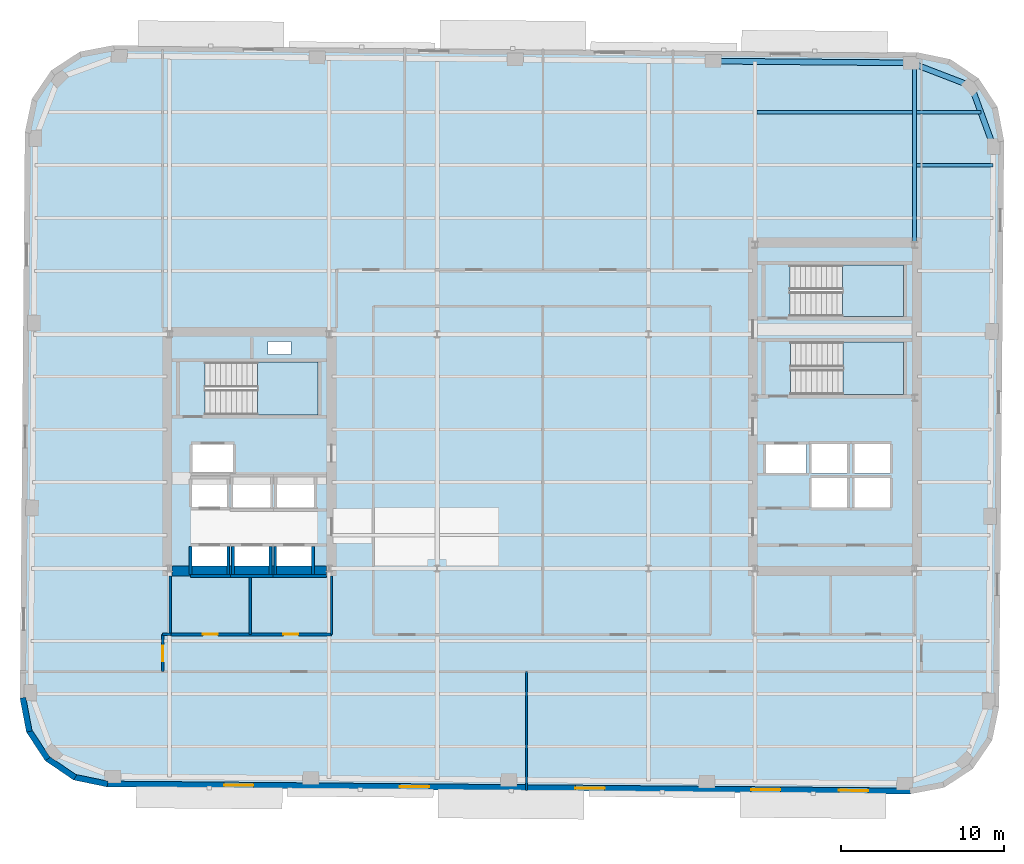
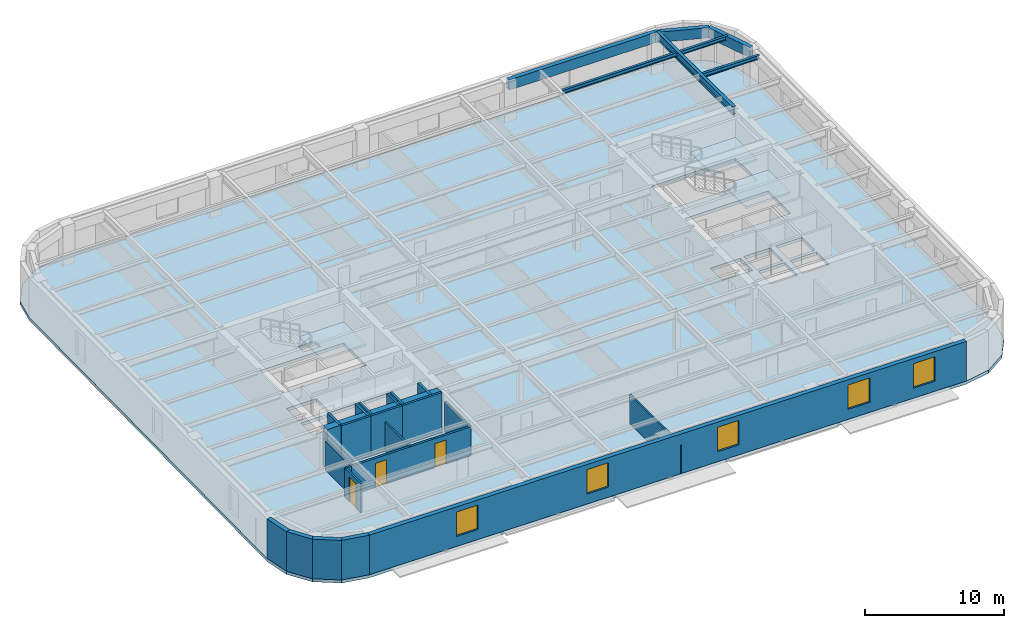
# One storey, part 3 of 10: 22 walls, 7 beams, 5 windows, 4 slabs, 3 doors, 8 openings, 3 elements without a shape of their own.
"""IFC4 building model written with IfcOpenShell, lengths in metres."""

from ifc_helpers import new_model, si_unit, direction, frame, frame_2d, origin, origin_2d, place, context, subcontext, project, spatial, polyline, rectangle, hollow_rectangle, i_section, outline, extrude, material, layer, layer_set, material_profile, profile_set, type_object, element, fill, aggregate, save


model = new_model("IFC4")

# Units and contexts
model_context = context("Model", 3, precision=1e-05, world=origin(), true_north=direction((0.0, 1.0)))
body_context = subcontext(model_context, "Body", "Model", "MODEL_VIEW")
ifc_project = project(units=[si_unit("LENGTHUNIT", "METRE"), si_unit("AREAUNIT", "SQUARE_METRE"), si_unit("VOLUMEUNIT", "CUBIC_METRE"), si_unit("PLANEANGLEUNIT", "RADIAN"), si_unit("MASSUNIT", "GRAM", prefix="KILO")], contexts=[model_context])

# Site, building, storey
site_placement = place(None, origin())
site = spatial("IfcSite", under=ifc_project, at=site_placement, CompositionType="ELEMENT")
building_placement = place(site_placement, origin())
building = spatial("IfcBuilding", under=site, at=building_placement, Name="Kolvaren Arena Tower", CompositionType="ELEMENT")
storey_placement = place(building_placement, frame((0.0, 0.0, 192.199951171875)))
storey = spatial("IfcBuildingStorey", under=building, at=storey_placement, Name="L46", CompositionType="ELEMENT", Elevation=192.199951171875)

# Beams
ifc_material_1 = material(Name="Steel CSA G40.21 350W", Category="steel")
ifc_material_profile_1 = material_profile(ifc_material_1, i_section(OverallWidth=0.2548828125, OverallDepth=0.695068359375, WebThickness=0.01708984375, FlangeThickness=0.02978515625, FilletRadius=0.01611328125, at=origin_2d()), Name="W690x217")
ifc_profile_set_1 = profile_set([ifc_material_profile_1], Name="Steel CSA G40.21 350W")
beam_type_1 = type_object("IfcBeamType", Name="GIRD-T2", PredefinedType="BEAM", material=ifc_profile_set_1)
beam_1_placement = place(storey_placement, frame((60.35009765625, 39.47998046875, 3.132568359375), z_axis=(0.0, 1.0, 0.0), x_axis=(-1.0, 0.0, 0.0)))
element("IfcBeam", 1, at=beam_1_placement, inside=storey, type_object=beam_type_1, Name="Primary Floor Girder (L46)", PredefinedType="BEAM", context=body_context, shape_type="SweptSolid", body=[
    extrude(i_section(OverallWidth=0.2548828125, OverallDepth=0.695068359375, WebThickness=0.01708984375, FlangeThickness=0.02978515625, FilletRadius=0.01611328125, at=origin_2d()), origin(), (0.0, 0.0, 1.0), 10.976806640625),
])
ifc_material_profile_2 = material_profile(ifc_material_1, i_section(OverallWidth=0.202880859375, OverallDepth=0.346923828125, WebThickness=0.0078125, FlangeThickness=0.013427734375, FilletRadius=0.010986328125, at=origin_2d()), Name="W360x64")
ifc_profile_set_2 = profile_set([ifc_material_profile_2], Name="Steel CSA G40.21 350W")
beam_type_2 = type_object("IfcBeamType", Name="JOIST-01", PredefinedType="JOIST", material=ifc_profile_set_2)
beam_2_placement = place(storey_placement, frame((60.4775390625, 44.25, 3.306640625), z_axis=(1.0, 0.0, 0.0), x_axis=(0.0, 1.0, 0.0)))
element("IfcBeam", 2, at=beam_2_placement, inside=storey, type_object=beam_type_2, Name="Composite Floor Joist (L46)", PredefinedType="JOIST", context=body_context, shape_type="SweptSolid", body=[
    extrude(i_section(OverallWidth=0.202880859375, OverallDepth=0.346923828125, WebThickness=0.0078125, FlangeThickness=0.013427734375, FilletRadius=0.010986328125, at=origin_2d()), origin(), (0.0, 0.0, 1.0), 4.710205078125),
])
beam_3_placement = place(storey_placement, frame((50.677490234375, 47.5, 3.306640625), z_axis=(1.0, 0.0, 0.0), x_axis=(0.0, 1.0, 0.0)))
element("IfcBeam", 3, at=beam_3_placement, inside=storey, type_object=beam_type_2, Name="Composite Floor Joist (L46)", PredefinedType="JOIST", context=body_context, shape_type="SweptSolid", body=[
    extrude(i_section(OverallWidth=0.202880859375, OverallDepth=0.346923828125, WebThickness=0.0078125, FlangeThickness=0.013427734375, FilletRadius=0.010986328125, at=origin_2d()), origin(), (0.0, 0.0, 1.0), 9.544921875),
])
beam_4_placement = place(storey_placement, frame((60.4775390625, 47.5, 3.306640625), z_axis=(1.0, 0.0, 0.0), x_axis=(0.0, 1.0, 0.0)))
element("IfcBeam", 4, at=beam_4_placement, inside=storey, type_object=beam_type_2, Name="Composite Floor Joist (L46)", PredefinedType="JOIST", context=body_context, shape_type="SweptSolid", body=[
    extrude(i_section(OverallWidth=0.202880859375, OverallDepth=0.346923828125, WebThickness=0.0078125, FlangeThickness=0.013427734375, FilletRadius=0.010986328125, at=origin_2d()), origin(), (0.0, 0.0, 1.0), 3.950439453125),
])
ifc_material_2 = material(Name="Steel CSA G40.21 350WT", Category="steel")
ifc_material_profile_3 = material_profile(ifc_material_2, hollow_rectangle(XDim=0.35009765625, YDim=0.89990234375, WallThickness=0.02001953125, at=origin_2d()), Name="HSS 900x350x20")
ifc_profile_set_3 = profile_set([ifc_material_profile_3], Name="Steel CSA G40.21 350WT")
beam_type_3 = type_object("IfcBeamType", Name="SPAND-01", PredefinedType="SPANDREL", material=ifc_profile_set_3)
for number, where, z_axis, x_axis, name in (
    (5, (65.19775390625, 45.392333984375, 3.030029296875), (-0.343059102458, 0.939313819882, 0.0), (-0.939313819882, -0.343059102458, 0.0), "Perimeter Spandrel Beam (L46)"),
    (6, (63.8388671875, 49.113037109375, 3.030029296875), (-0.933189846698, 0.359383792094, 0.0), (-0.359383792094, -0.933189846698, 0.0), "Perimeter Spandrel Beam (L46)"),
):
    element("IfcBeam", number, at=place(storey_placement, frame(where, z_axis=z_axis, x_axis=x_axis)), inside=storey, type_object=beam_type_3, Name=name, PredefinedType="SPANDREL", context=body_context, shape_type="SweptSolid", body=[
        extrude(hollow_rectangle(XDim=0.35009765625, YDim=0.89990234375, WallThickness=0.02001953125, at=origin_2d()), origin(), (0.0, 0.0, 1.0), 3.961181640625),
    ])
beam_5_placement = place(storey_placement, frame((60.142333984375, 50.53662109375, 3.030029296875), z_axis=(-0.99996195503, 0.008722871848, 0.0), x_axis=(-0.008722871848, -0.99996195503, 0.0)))
element("IfcBeam", 7, at=beam_5_placement, inside=storey, type_object=beam_type_3, Name="Perimeter Spandrel Beam (L46)", PredefinedType="SPANDREL", context=body_context, shape_type="SweptSolid", body=[
    extrude(hollow_rectangle(XDim=0.35009765625, YDim=0.89990234375, WallThickness=0.02001953125, at=origin_2d()), origin(), (0.0, 0.0, 1.0), 12.175048828125),
])

# Stair, slab
ifc_material_3 = material(Name="Concrete 45 MPa", Category="concrete")
stair_type_1 = type_object("IfcStairType", Name="STAIR-CORE-165", PredefinedType="HALF_TURN_STAIR", material=ifc_material_3)
stair_1_placement = place(storey_placement, origin())
stair_1 = element("IfcStair", 8, at=stair_1_placement, inside=storey, type_object=stair_type_1, Name="L46 ST-W1", PredefinedType="HALF_TURN_STAIR")
ifc_layer_1 = layer(ifc_material_3, 0.199951171875)
ifc_layer_set_1 = layer_set([ifc_layer_1], Name="Concrete 45 MPa")
slab_type_1 = type_object("IfcSlabType", Name="SLAB-LAND", PredefinedType="LANDING", material=ifc_layer_set_1)
slab_1_placement = place(storey_placement, frame((0.0, 0.0, 1.675048828125)))
slab_1 = element("IfcSlab", 9, at=slab_1_placement, type_object=slab_type_1, Name="ST-W1 landing 1", PredefinedType="LANDING", context=body_context, shape_type="SweptSolid", body=[
    extrude(outline(polyline([(19.9599609375, 28.89990234375), (23.659912109375, 28.89990234375), (23.659912109375, 32.1298828125), (19.9599609375, 32.1298828125), (19.9599609375, 28.89990234375)])), origin(), (0.0, 0.0, 1.0), 0.199951171875),
])
aggregate(stair_1, [slab_1])

stair_2_placement = place(storey_placement, origin())
stair_2 = element("IfcStair", 10, at=stair_2_placement, inside=storey, type_object=stair_type_1, Name="L46 ST-E1", PredefinedType="HALF_TURN_STAIR")
slab_2_placement = place(storey_placement, frame((0.0, 0.0, 1.675048828125)))
slab_2 = element("IfcSlab", 11, at=slab_2_placement, type_object=slab_type_1, Name="ST-E1 landing 1", PredefinedType="LANDING", context=body_context, shape_type="SweptSolid", body=[
    extrude(outline(polyline([(55.9599609375, 30.14990234375), (59.659912109375, 30.14990234375), (59.659912109375, 33.3798828125), (55.9599609375, 33.3798828125), (55.9599609375, 30.14990234375)])), origin(), (0.0, 0.0, 1.0), 0.199951171875),
])
aggregate(stair_2, [slab_2])

stair_type_2 = type_object("IfcStairType", Name="STAIR-CORE-150", PredefinedType="HALF_TURN_STAIR", material=ifc_material_3)
stair_3_placement = place(storey_placement, origin())
stair_3 = element("IfcStair", 12, at=stair_3_placement, inside=storey, type_object=stair_type_2, Name="L46 ST-E2", PredefinedType="HALF_TURN_STAIR")
slab_3_placement = place(storey_placement, frame((0.0, 0.0, 1.675048828125)))
slab_3 = element("IfcSlab", 13, at=slab_3_placement, type_object=slab_type_1, Name="ST-E2 landing 1", PredefinedType="LANDING", context=body_context, shape_type="SweptSolid", body=[
    extrude(outline(polyline([(55.919921875, 34.949951171875), (59.659912109375, 34.949951171875), (59.659912109375, 38.10009765625), (55.919921875, 38.10009765625), (55.919921875, 34.949951171875)])), origin(), (0.0, 0.0, 1.0), 0.199951171875),
])
aggregate(stair_3, [slab_3])

# Slab
ifc_layer_2 = layer(ifc_material_3, 0.27001953125)
ifc_layer_set_2 = layer_set([ifc_layer_2], Name="Concrete 45 MPa")
slab_type_2 = type_object("IfcSlabType", Name="SLAB-OFF2", PredefinedType="FLOOR", material=ifc_layer_set_2)
slab_4_placement = place(storey_placement, frame((0.0, 0.0, -0.27001953125)))
element("IfcSlab", 14, at=slab_4_placement, inside=storey, type_object=slab_type_2, Name="L46 Primary Structural Slab", PredefinedType="FLOOR", context=body_context, shape_type="SweptSolid", body=[
    extrude(outline(polyline([(60.10009765625, 5.585205078125), (62.170166015625, 5.978271484375), (63.93212890625, 7.133544921875), (65.117919921875, 8.875244140625), (65.547119140625, 10.93798828125), (65.8505859375, 45.73681640625), (65.457763671875, 47.806640625), (64.302490234375, 49.568603515625), (62.560791015625, 50.75439453125), (60.498046875, 51.18359375), (11.099853515625, 51.61474609375), (9.02978515625, 51.2216796875), (7.267822265625, 50.06640625), (6.08203125, 48.32470703125), (5.653076171875, 46.261962890625), (5.349365234375, 11.46337890625), (5.7421875, 9.393310546875), (6.8974609375, 7.63134765625), (8.63916015625, 6.445556640625), (10.701904296875, 6.016357421875), (60.10009765625, 5.585205078125)]), holes=[polyline([(15.93505859375, 19.0849609375), (15.93505859375, 20.81494140625), (18.06494140625, 20.81494140625), (18.06494140625, 19.0849609375), (15.93505859375, 19.0849609375)]), polyline([(18.534912109375, 19.0849609375), (18.534912109375, 20.81494140625), (20.6650390625, 20.81494140625), (20.6650390625, 19.0849609375), (18.534912109375, 19.0849609375)]), polyline([(21.135009765625, 19.0849609375), (21.135009765625, 20.81494140625), (23.264892578125, 20.81494140625), (23.264892578125, 19.0849609375), (21.135009765625, 19.0849609375)]), polyline([(18.4599609375, 23.135009765625), (18.4599609375, 25.06494140625), (20.739990234375, 25.06494140625), (20.739990234375, 23.135009765625), (18.4599609375, 23.135009765625)]), polyline([(21.159912109375, 23.135009765625), (21.159912109375, 25.06494140625), (23.43994140625, 25.06494140625), (23.43994140625, 23.135009765625), (21.159912109375, 23.135009765625)]), polyline([(54.030029296875, 23.18505859375), (54.030029296875, 25.014892578125), (56.2099609375, 25.014892578125), (56.2099609375, 23.18505859375), (54.030029296875, 23.18505859375)]), polyline([(56.669921875, 23.18505859375), (56.669921875, 25.014892578125), (58.85009765625, 25.014892578125), (58.85009765625, 23.18505859375), (56.669921875, 23.18505859375)]), polyline([(15.93505859375, 23.235107421875), (15.93505859375, 24.965087890625), (18.06494140625, 24.965087890625), (18.06494140625, 23.235107421875), (15.93505859375, 23.235107421875)]), polyline([(54.030029296875, 25.284912109375), (54.030029296875, 27.114990234375), (56.2099609375, 27.114990234375), (56.2099609375, 25.284912109375), (54.030029296875, 25.284912109375)]), polyline([(56.669921875, 25.284912109375), (56.669921875, 27.114990234375), (58.85009765625, 27.114990234375), (58.85009765625, 25.284912109375), (56.669921875, 25.284912109375)]), polyline([(15.9599609375, 25.3349609375), (15.9599609375, 27.06494140625), (18.43994140625, 27.06494140625), (18.43994140625, 25.3349609375), (15.9599609375, 25.3349609375)]), polyline([(51.219970703125, 25.3349609375), (51.219970703125, 27.06494140625), (53.699951171875, 27.06494140625), (53.699951171875, 25.3349609375), (51.219970703125, 25.3349609375)]), polyline([(16.735107421875, 28.89990234375), (16.735107421875, 32.1298828125), (23.659912109375, 32.1298828125), (23.659912109375, 28.89990234375), (16.735107421875, 28.89990234375)]), polyline([(52.735107421875, 30.14990234375), (52.735107421875, 33.3798828125), (59.659912109375, 33.3798828125), (59.659912109375, 30.14990234375), (52.735107421875, 30.14990234375)]), polyline([(20.60009765625, 32.6201171875), (20.60009765625, 33.39990234375), (22.0, 33.39990234375), (22.0, 32.6201171875), (20.60009765625, 32.6201171875)]), polyline([(52.695068359375, 34.949951171875), (52.695068359375, 38.10009765625), (59.659912109375, 38.10009765625), (59.659912109375, 34.949951171875), (52.695068359375, 34.949951171875)])]), origin(), (0.0, 0.0, 1.0), 0.27001953125),
])

# Wall, opening, door
ifc_material_4 = material(Name="Gypsum board acoustic assembly", Category="gypsum")
ifc_layer_3 = layer(ifc_material_4, 0.159912109375)
ifc_layer_set_3 = layer_set([ifc_layer_3], Name="Gypsum board acoustic assembly")
wall_type_1 = type_object("IfcWallType", Name="CORR-160", PredefinedType="PARTITIONING", material=ifc_layer_set_3)
wall_1_placement = place(storey_placement, frame((14.1201171875, 13.10009765625, 0.0), z_axis=(0.0, 0.0, 1.0), x_axis=(0.0, 1.0, 0.0)))
wall_1 = element("IfcWall", 15, at=wall_1_placement, inside=storey, type_object=wall_type_1, Name="Interior Partition Wall (L46)", PredefinedType="PARTITIONING", context=body_context, shape_type="SweptSolid", body=[
    extrude(rectangle(XDim=2.2998046875, YDim=0.159912109375, at=frame_2d((1.14990234375, 0.0))), origin(), (0.0, 0.0, 1.0), 2.5400390625),
])
opening_1_placement = place(wall_1_placement, frame((0.64990234375, 0.0, 0.0)))
opening_1 = element("IfcOpeningElement", 16, at=opening_1_placement, cuts=wall_1, Name="Opening D05", PredefinedType="OPENING", context=body_context, shape_type="SweptSolid", body=[
    extrude(rectangle(XDim=0.949951171875, YDim=2.14990234375, at=frame_2d((0.47509765625, 1.074951171875))), frame((0.0, 0.08984375, 0.0), z_axis=(0.0, -1.0, 0.0), x_axis=(1.0, 0.0, 0.0)), (0.0, 0.0, 1.0), 0.179931640625),
])
ifc_material_5 = material(Name="Solid-core oak acoustic office door", Category="wood")
door_type_1 = type_object("IfcDoorType", Name="DOOR-OF-095", OperationType="NOTDEFINED", PredefinedType="DOOR", material=ifc_material_5)
door_1_placement = place(opening_1_placement, origin())
door_1 = element("IfcDoor", 17, at=door_1_placement, inside=storey, type_object=door_type_1, Name="West Wing Office Door (L46)", OperationType="SINGLE_SWING_LEFT", OverallHeight=2.14990234375, OverallWidth=0.949951171875, PredefinedType="DOOR", context=body_context, shape_type="SweptSolid", body=[
    extrude(rectangle(XDim=0.949951171875, YDim=2.14990234375, at=frame_2d((0.47509765625, 1.074951171875))), frame((0.0, 0.02490234375, 0.0), z_axis=(0.0, -1.0, 0.0), x_axis=(1.0, 0.0, 0.0)), (0.0, 0.0, 1.0), 0.050048828125),
])
fill(opening_1, door_1)

# Walls
wall_2_placement = place(storey_placement, frame((14.1201171875, 15.39990234375, 0.0), z_axis=(0.0, 0.0, 1.0), x_axis=(1.0, 0.0, 0.0)))
element("IfcWall", 18, at=wall_2_placement, inside=storey, type_object=wall_type_1, Name="Interior Partition Wall (L46)", PredefinedType="PARTITIONING", context=body_context, shape_type="SweptSolid", body=[
    extrude(rectangle(XDim=0.5, YDim=0.159912109375, at=frame_2d((0.25, 0.0))), origin(), (0.0, 0.0, 1.0), 2.5400390625),
])
ifc_material_6 = material(Name="Concrete 60 MPa", Category="concrete")
ifc_layer_4 = layer(ifc_material_6, 0.60009765625)
ifc_layer_set_4 = layer_set([ifc_layer_4], Name="Concrete 60 MPa")
wall_type_2 = type_object("IfcWallType", Name="CWALL-600", PredefinedType="SHEAR", material=ifc_layer_set_4)
wall_3_placement = place(storey_placement, frame((14.699951171875, 19.300048828125, -0.27001953125), z_axis=(0.0, 0.0, 1.0), x_axis=(1.0, 0.0, 0.0)))
element("IfcWall", 19, at=wall_3_placement, inside=storey, type_object=wall_type_2, Name="Core Shear Wall WC-SOUTH (L46)", PredefinedType="SHEAR", context=body_context, shape_type="SweptSolid", body=[
    extrude(rectangle(XDim=9.5, YDim=0.60009765625, at=frame_2d((4.75, 0.0))), origin(), (0.0, 0.0, 1.0), 3.75),
])
ifc_material_7 = material(Name="Precast concrete C50/60", Category="concrete")
ifc_layer_5 = layer(ifc_material_7, 0.360107421875)
ifc_layer_set_5 = layer_set([ifc_layer_5], Name="Precast concrete C50/60")
wall_type_3 = type_object("IfcWallType", Name="EXT-PIER2", PredefinedType="SOLIDWALL", material=ifc_layer_set_5)
for number, where, z_axis, x_axis, name in (
    (20, (5.919189453125, 9.427001953125, 0.0), (0.0, 0.0, 1.0), (-0.186568933123, 0.982441872679, 0.0), "Exterior Precast Masonry-Frame Wall (L46)"),
    (21, (7.048095703125, 7.72998046875, 0.0), (0.0, 0.0, 1.0), (-0.548319766745, 0.836268756678, 0.0), "Exterior Precast Masonry-Frame Wall (L46)"),
    (22, (8.740478515625, 6.59423828125, 0.0), (0.0, 0.0, 1.0), (-0.826609569219, 0.56277581689, 0.0), "Exterior Precast Masonry-Frame Wall (L46)"),
):
    element("IfcWall", number, at=place(storey_placement, frame(where, z_axis=z_axis, x_axis=x_axis)), inside=storey, type_object=wall_type_3, Name=name, PredefinedType="SOLIDWALL", context=body_context, shape_type="SweptSolid", body=[
        extrude(rectangle(XDim=2.10693359375, YDim=0.360107421875, at=frame_2d((1.053466796875, 0.0))), origin(), (0.0, 0.0, 1.0), 3.47998046875),
    ])
wall_4_placement = place(storey_placement, frame((10.73876953125, 6.192626953125, 0.0), z_axis=(0.0, 0.0, 1.0), x_axis=(-0.979059388908, 0.203574833883, 0.0)))
element("IfcWall", 23, at=wall_4_placement, inside=storey, type_object=wall_type_3, Name="Exterior Precast Masonry-Frame Wall (L46)", PredefinedType="SOLIDWALL", context=body_context, shape_type="SweptSolid", body=[
    extrude(rectangle(XDim=2.107177734375, YDim=0.360107421875, at=frame_2d((1.0537109375, 0.0))), origin(), (0.0, 0.0, 1.0), 3.47998046875),
])

# Wall, openings, windows
wall_5_placement = place(storey_placement, frame((60.101806640625, 5.765380859375, 0.0), z_axis=(0.0, 0.0, 1.0), x_axis=(-0.999961955436, 0.008722825272, 0.0)))
wall_5 = element("IfcWall", 24, at=wall_5_placement, inside=storey, type_object=wall_type_3, Name="Exterior Precast Masonry-Frame Wall (L46)", PredefinedType="SOLIDWALL", context=body_context, shape_type="SweptSolid", body=[
    extrude(rectangle(XDim=49.400146484375, YDim=0.360107421875, at=frame_2d((24.7001953125, 0.0))), origin(), (0.0, 0.0, 1.0), 3.47998046875),
])
opening_2_placement = place(wall_5_placement, frame((2.60009765625, 0.0, 0.8798828125)))
opening_2 = element("IfcOpeningElement", 25, at=opening_2_placement, cuts=wall_5, Name="Opening W02", PredefinedType="OPENING", context=body_context, shape_type="SweptSolid", body=[
    extrude(rectangle(XDim=1.800048828125, YDim=2.14990234375, at=frame_2d((0.89990234375, 1.074951171875))), frame((0.0, 0.18994140625, 0.0), z_axis=(0.0, -1.0, 0.0), x_axis=(1.0, 0.0, 0.0)), (0.0, 0.0, 1.0), 0.380126953125),
])
opening_3_placement = place(wall_5_placement, frame((8.0, 0.0, 0.8798828125)))
opening_3 = element("IfcOpeningElement", 26, at=opening_3_placement, cuts=wall_5, Name="Opening W02", PredefinedType="OPENING", context=body_context, shape_type="SweptSolid", body=[
    extrude(rectangle(XDim=1.800048828125, YDim=2.14990234375, at=frame_2d((0.89990234375, 1.074951171875))), frame((0.0, 0.18994140625, 0.0), z_axis=(0.0, -1.0, 0.0), x_axis=(1.0, 0.0, 0.0)), (0.0, 0.0, 1.0), 0.380126953125),
])
opening_4_placement = place(wall_5_placement, frame((18.800048828125, 0.0, 0.8798828125)))
opening_4 = element("IfcOpeningElement", 27, at=opening_4_placement, cuts=wall_5, Name="Opening W02", PredefinedType="OPENING", context=body_context, shape_type="SweptSolid", body=[
    extrude(rectangle(XDim=1.800048828125, YDim=2.14990234375, at=frame_2d((0.89990234375, 1.074951171875))), frame((0.0, 0.18994140625, 0.0), z_axis=(0.0, -1.0, 0.0), x_axis=(1.0, 0.0, 0.0)), (0.0, 0.0, 1.0), 0.380126953125),
])
opening_5_placement = place(wall_5_placement, frame((29.60009765625, 0.0, 0.8798828125)))
opening_5 = element("IfcOpeningElement", 28, at=opening_5_placement, cuts=wall_5, Name="Opening W02", PredefinedType="OPENING", context=body_context, shape_type="SweptSolid", body=[
    extrude(rectangle(XDim=1.800048828125, YDim=2.14990234375, at=frame_2d((0.89990234375, 1.074951171875))), frame((0.0, 0.18994140625, 0.0), z_axis=(0.0, -1.0, 0.0), x_axis=(1.0, 0.0, 0.0)), (0.0, 0.0, 1.0), 0.380126953125),
])
opening_6_placement = place(wall_5_placement, frame((40.39990234375, 0.0, 0.8798828125)))
opening_6 = element("IfcOpeningElement", 29, at=opening_6_placement, cuts=wall_5, Name="Opening W02", PredefinedType="OPENING", context=body_context, shape_type="SweptSolid", body=[
    extrude(rectangle(XDim=1.800048828125, YDim=2.14990234375, at=frame_2d((0.89990234375, 1.074951171875))), frame((0.0, 0.18994140625, 0.0), z_axis=(0.0, -1.0, 0.0), x_axis=(1.0, 0.0, 0.0)), (0.0, 0.0, 1.0), 0.380126953125),
])
ifc_material_8 = material(Name="Triple-glazed low-E aluminium window", Category="aluminium")
window_type = type_object("IfcWindowType", Name="WIN-OFF-B", PartitioningType="DOUBLE_PANEL_VERTICAL", PredefinedType="WINDOW", material=ifc_material_8)
window_1_placement = place(opening_2_placement, origin())
window_1 = element("IfcWindow", 30, at=window_1_placement, inside=storey, type_object=window_type, Name="Punched Precast-Pier Window (L46)", OverallHeight=2.14990234375, OverallWidth=1.800048828125, PartitioningType="DOUBLE_PANEL_VERTICAL", PredefinedType="WINDOW", context=body_context, shape_type="SweptSolid", body=[
    extrude(rectangle(XDim=1.800048828125, YDim=2.14990234375, at=frame_2d((0.89990234375, 1.074951171875))), frame((0.0, 0.030029296875, 0.0), z_axis=(0.0, -1.0, 0.0), x_axis=(1.0, 0.0, 0.0)), (0.0, 0.0, 1.0), 0.06005859375),
])
fill(opening_2, window_1)
window_2_placement = place(opening_3_placement, origin())
window_2 = element("IfcWindow", 31, at=window_2_placement, inside=storey, type_object=window_type, Name="Punched Precast-Pier Window (L46)", OverallHeight=2.14990234375, OverallWidth=1.800048828125, PartitioningType="DOUBLE_PANEL_VERTICAL", PredefinedType="WINDOW", context=body_context, shape_type="SweptSolid", body=[
    extrude(rectangle(XDim=1.800048828125, YDim=2.14990234375, at=frame_2d((0.89990234375, 1.074951171875))), frame((0.0, 0.030029296875, 0.0), z_axis=(0.0, -1.0, 0.0), x_axis=(1.0, 0.0, 0.0)), (0.0, 0.0, 1.0), 0.06005859375),
])
fill(opening_3, window_2)
window_3_placement = place(opening_4_placement, origin())
window_3 = element("IfcWindow", 32, at=window_3_placement, inside=storey, type_object=window_type, Name="Punched Precast-Pier Window (L46)", OverallHeight=2.14990234375, OverallWidth=1.800048828125, PartitioningType="DOUBLE_PANEL_VERTICAL", PredefinedType="WINDOW", context=body_context, shape_type="SweptSolid", body=[
    extrude(rectangle(XDim=1.800048828125, YDim=2.14990234375, at=frame_2d((0.89990234375, 1.074951171875))), frame((0.0, 0.030029296875, 0.0), z_axis=(0.0, -1.0, 0.0), x_axis=(1.0, 0.0, 0.0)), (0.0, 0.0, 1.0), 0.06005859375),
])
fill(opening_4, window_3)
window_4_placement = place(opening_5_placement, origin())
window_4 = element("IfcWindow", 33, at=window_4_placement, inside=storey, type_object=window_type, Name="Punched Precast-Pier Window (L46)", OverallHeight=2.14990234375, OverallWidth=1.800048828125, PartitioningType="DOUBLE_PANEL_VERTICAL", PredefinedType="WINDOW", context=body_context, shape_type="SweptSolid", body=[
    extrude(rectangle(XDim=1.800048828125, YDim=2.14990234375, at=frame_2d((0.89990234375, 1.074951171875))), frame((0.0, 0.030029296875, 0.0), z_axis=(0.0, -1.0, 0.0), x_axis=(1.0, 0.0, 0.0)), (0.0, 0.0, 1.0), 0.06005859375),
])
fill(opening_5, window_4)
window_5_placement = place(opening_6_placement, origin())
window_5 = element("IfcWindow", 34, at=window_5_placement, inside=storey, type_object=window_type, Name="Punched Precast-Pier Window (L46)", OverallHeight=2.14990234375, OverallWidth=1.800048828125, PartitioningType="DOUBLE_PANEL_VERTICAL", PredefinedType="WINDOW", context=body_context, shape_type="SweptSolid", body=[
    extrude(rectangle(XDim=1.800048828125, YDim=2.14990234375, at=frame_2d((0.89990234375, 1.074951171875))), frame((0.0, 0.030029296875, 0.0), z_axis=(0.0, -1.0, 0.0), x_axis=(1.0, 0.0, 0.0)), (0.0, 0.0, 1.0), 0.06005859375),
])
fill(opening_6, window_5)

# Walls
ifc_material_9 = material(Name="Gypsum board partition assembly", Category="gypsum")
ifc_layer_6 = layer(ifc_material_9, 0.135009765625)
ifc_layer_set_6 = layer_set([ifc_layer_6], Name="Gypsum board partition assembly")
wall_type_4 = type_object("IfcWallType", Name="PART-135", PredefinedType="PARTITIONING", material=ifc_layer_set_6)
wall_6_placement = place(storey_placement, frame((36.5, 5.791259765625, 0.0), z_axis=(0.0, 0.0, 1.0), x_axis=(0.0, 1.0, 0.0)))
element("IfcWall", 35, at=wall_6_placement, inside=storey, type_object=wall_type_4, Name="Interior Partition Wall (L46)", PredefinedType="PARTITIONING", context=body_context, shape_type="SweptSolid", body=[
    extrude(rectangle(XDim=7.308837890625, YDim=0.135009765625, at=frame_2d((3.654296875, 0.0))), origin(), (0.0, 0.0, 1.0), 2.5400390625),
])
ifc_layer_7 = layer(ifc_material_3, 0.25)
ifc_layer_set_7 = layer_set([ifc_layer_7], Name="Concrete 45 MPa")
wall_type_5 = type_object("IfcWallType", Name="SHAFT-250", PredefinedType="SOLIDWALL", material=ifc_layer_set_7)
wall_7_placement = place(storey_placement, frame((15.844970703125, 18.9951171875, 0.0), z_axis=(0.0, 0.0, 1.0), x_axis=(1.0, 0.0, 0.0)))
element("IfcWall", 36, at=wall_7_placement, inside=storey, type_object=wall_type_5, Name="Core Shaft Wall (L46)", PredefinedType="SOLIDWALL", context=body_context, shape_type="SweptSolid", body=[
    extrude(rectangle(XDim=2.455078125, YDim=0.179931640625, at=frame_2d((1.2275390625, 0.0))), origin(), (0.0, 0.0, 1.0), 3.47998046875),
])
for number, where, z_axis, x_axis, name in (
    (37, (15.844970703125, 19.0849609375, 0.0), (0.0, 0.0, 1.0), (0.0, 1.0, 0.0), "Core Shaft Wall (L46)"),
    (38, (18.155029296875, 19.0849609375, 0.0), (0.0, 0.0, 1.0), (0.0, 1.0, 0.0), "Core Shaft Wall (L46)"),
):
    element("IfcWall", number, at=place(storey_placement, frame(where, z_axis=z_axis, x_axis=x_axis)), inside=storey, type_object=wall_type_5, Name=name, PredefinedType="SOLIDWALL", context=body_context, shape_type="SweptSolid", body=[
        extrude(rectangle(XDim=1.72998046875, YDim=0.179931640625, at=frame_2d((0.864990234375, 0.0))), origin(), (0.0, 0.0, 1.0), 3.47998046875),
    ])
wall_8_placement = place(storey_placement, frame((18.300048828125, 18.9951171875, 0.0), z_axis=(0.0, 0.0, 1.0), x_axis=(1.0, 0.0, 0.0)))
element("IfcWall", 39, at=wall_8_placement, inside=storey, type_object=wall_type_5, Name="Core Shaft Wall (L46)", PredefinedType="SOLIDWALL", context=body_context, shape_type="SweptSolid", body=[
    extrude(rectangle(XDim=2.599853515625, YDim=0.179931640625, at=frame_2d((1.2998046875, 0.0))), origin(), (0.0, 0.0, 1.0), 3.47998046875),
])
for number, where, z_axis, x_axis, name in (
    (40, (18.445068359375, 19.0849609375, 0.0), (0.0, 0.0, 1.0), (0.0, 1.0, 0.0), "Core Shaft Wall (L46)"),
    (41, (20.7548828125, 19.0849609375, 0.0), (0.0, 0.0, 1.0), (0.0, 1.0, 0.0), "Core Shaft Wall (L46)"),
):
    element("IfcWall", number, at=place(storey_placement, frame(where, z_axis=z_axis, x_axis=x_axis)), inside=storey, type_object=wall_type_5, Name=name, PredefinedType="SOLIDWALL", context=body_context, shape_type="SweptSolid", body=[
        extrude(rectangle(XDim=1.72998046875, YDim=0.179931640625, at=frame_2d((0.864990234375, 0.0))), origin(), (0.0, 0.0, 1.0), 3.47998046875),
    ])
wall_9_placement = place(storey_placement, frame((20.89990234375, 18.9951171875, 0.0), z_axis=(0.0, 0.0, 1.0), x_axis=(1.0, 0.0, 0.0)))
element("IfcWall", 42, at=wall_9_placement, inside=storey, type_object=wall_type_5, Name="Core Shaft Wall (L46)", PredefinedType="SOLIDWALL", context=body_context, shape_type="SweptSolid", body=[
    extrude(rectangle(XDim=3.300048828125, YDim=0.179931640625, at=frame_2d((1.64990234375, 0.0))), origin(), (0.0, 0.0, 1.0), 3.47998046875),
])
for number, where, z_axis, x_axis, name in (
    (43, (21.044921875, 19.0849609375, 0.0), (0.0, 0.0, 1.0), (0.0, 1.0, 0.0), "Core Shaft Wall (L46)"),
    (44, (23.35498046875, 19.0849609375, 0.0), (0.0, 0.0, 1.0), (0.0, 1.0, 0.0), "Core Shaft Wall (L46)"),
):
    element("IfcWall", number, at=place(storey_placement, frame(where, z_axis=z_axis, x_axis=x_axis)), inside=storey, type_object=wall_type_5, Name=name, PredefinedType="SOLIDWALL", context=body_context, shape_type="SweptSolid", body=[
        extrude(rectangle(XDim=1.72998046875, YDim=0.179931640625, at=frame_2d((0.864990234375, 0.0))), origin(), (0.0, 0.0, 1.0), 3.47998046875),
    ])
ifc_material_10 = material(Name="Moisture-resistant gypsum assembly", Category="gypsum")
ifc_layer_8 = layer(ifc_material_10, 0.14990234375)
ifc_layer_set_8 = layer_set([ifc_layer_8], Name="Moisture-resistant gypsum assembly")
wall_type_6 = type_object("IfcWallType", Name="WETW-150", PredefinedType="PARTITIONING", material=ifc_layer_set_8)
wall_10_placement = place(storey_placement, frame((19.5, 15.39990234375, 0.0), z_axis=(0.0, 0.0, 1.0), x_axis=(0.0, 1.0, 0.0)))
element("IfcWall", 45, at=wall_10_placement, inside=storey, type_object=wall_type_6, Name="Interior Partition Wall (L46)", PredefinedType="PARTITIONING", context=body_context, shape_type="SweptSolid", body=[
    extrude(rectangle(XDim=3.580078125, YDim=0.14990234375, at=frame_2d((1.7900390625, 0.0))), origin(), (0.0, 0.0, 1.0), 2.5400390625),
])

# Wall, openings, doors
wall_11_placement = place(storey_placement, frame((14.60009765625, 15.39990234375, 0.0), z_axis=(0.0, 0.0, 1.0), x_axis=(1.0, 0.0, 0.0)))
wall_11 = element("IfcWall", 46, at=wall_11_placement, inside=storey, type_object=wall_type_6, Name="Interior Partition Wall (L46)", PredefinedType="PARTITIONING", context=body_context, shape_type="SweptSolid", body=[
    extrude(rectangle(XDim=9.89990234375, YDim=0.179931640625, at=frame_2d((4.949951171875, 0.0))), origin(), (0.0, 0.0, 1.0), 2.5400390625),
])
opening_7_placement = place(wall_11_placement, frame((1.989990234375, 0.0, 0.0)))
opening_7 = element("IfcOpeningElement", 47, at=opening_7_placement, cuts=wall_11, Name="Opening D07", PredefinedType="OPENING", context=body_context, shape_type="SweptSolid", body=[
    extrude(rectangle(XDim=0.919921875, YDim=2.10009765625, at=frame_2d((0.4599609375, 1.050048828125))), frame((0.0, 0.099853515625, 0.0), z_axis=(0.0, -1.0, 0.0), x_axis=(1.0, 0.0, 0.0)), (0.0, 0.0, 1.0), 0.199951171875),
])
opening_8_placement = place(wall_11_placement, frame((6.93994140625, 0.0, 0.0)))
opening_8 = element("IfcOpeningElement", 48, at=opening_8_placement, cuts=wall_11, Name="Opening D07", PredefinedType="OPENING", context=body_context, shape_type="SweptSolid", body=[
    extrude(rectangle(XDim=0.919921875, YDim=2.10009765625, at=frame_2d((0.4599609375, 1.050048828125))), frame((0.0, 0.099853515625, 0.0), z_axis=(0.0, -1.0, 0.0), x_axis=(1.0, 0.0, 0.0)), (0.0, 0.0, 1.0), 0.199951171875),
])
ifc_material_11 = material(Name="Laminate universal washroom door", Category="wood")
door_type_2 = type_object("IfcDoorType", Name="DOOR-WC-092", OperationType="NOTDEFINED", PredefinedType="DOOR", material=ifc_material_11)
door_2_placement = place(opening_7_placement, origin())
door_2 = element("IfcDoor", 49, at=door_2_placement, inside=storey, type_object=door_type_2, Name="Universal Barrier-Free Washroom Door (L46)", OperationType="SINGLE_SWING_RIGHT", OverallHeight=2.10009765625, OverallWidth=0.919921875, PredefinedType="DOOR", context=body_context, shape_type="SweptSolid", body=[
    extrude(rectangle(XDim=0.919921875, YDim=2.10009765625, at=frame_2d((0.4599609375, 1.050048828125))), frame((0.0, 0.02490234375, 0.0), z_axis=(0.0, -1.0, 0.0), x_axis=(1.0, 0.0, 0.0)), (0.0, 0.0, 1.0), 0.050048828125),
])
fill(opening_7, door_2)
door_3_placement = place(opening_8_placement, origin())
door_3 = element("IfcDoor", 50, at=door_3_placement, inside=storey, type_object=door_type_2, Name="Gender-Neutral Washroom Door (L46)", OperationType="SINGLE_SWING_LEFT", OverallHeight=2.10009765625, OverallWidth=0.919921875, PredefinedType="DOOR", context=body_context, shape_type="SweptSolid", body=[
    extrude(rectangle(XDim=0.919921875, YDim=2.10009765625, at=frame_2d((0.4599609375, 1.050048828125))), frame((0.0, 0.02490234375, 0.0), z_axis=(0.0, -1.0, 0.0), x_axis=(1.0, 0.0, 0.0)), (0.0, 0.0, 1.0), 0.050048828125),
])
fill(opening_8, door_3)

# Walls
for number, where, z_axis, x_axis, name in (
    (51, (14.60009765625, 15.39990234375, 0.0), (0.0, 0.0, 1.0), (0.0, 1.0, 0.0), "Interior Partition Wall (L46)"),
    (52, (24.5, 15.39990234375, 0.0), (0.0, 0.0, 1.0), (0.0, 1.0, 0.0), "Interior Partition Wall (L46)"),
):
    element("IfcWall", number, at=place(storey_placement, frame(where, z_axis=z_axis, x_axis=x_axis)), inside=storey, type_object=wall_type_6, Name=name, PredefinedType="PARTITIONING", context=body_context, shape_type="SweptSolid", body=[
        extrude(rectangle(XDim=3.580078125, YDim=0.14990234375, at=frame_2d((1.7900390625, 0.0))), origin(), (0.0, 0.0, 1.0), 2.5400390625),
    ])

save(model, "model.ifc")
